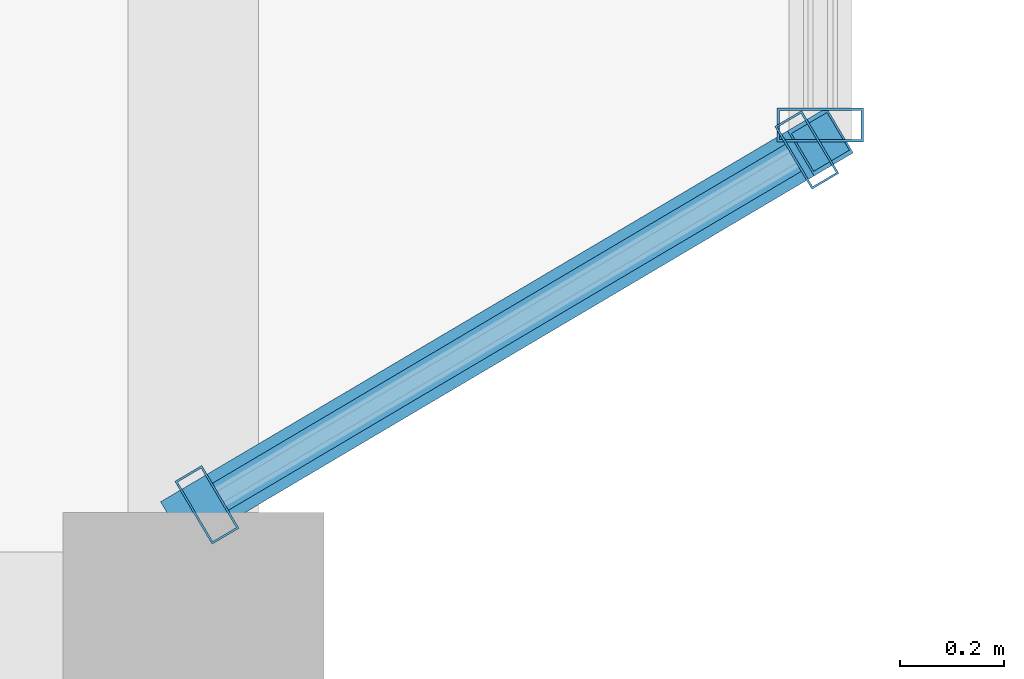
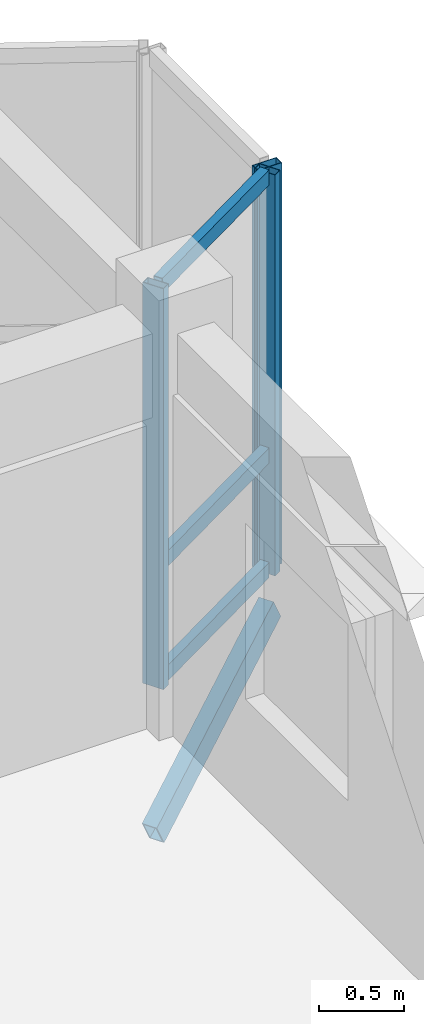
# One storey, part 9 of 64: 7 members, 2 elements without a shape of their own.
"""IFC4 building model written with IfcOpenShell, lengths in metres."""

from ifc_helpers import new_model, si_unit, direction, frame, origin, origin_2d, place, context, subcontext, project, spatial, hollow_rectangle, extrude, material, layer, layer_set, material_profile, profile_set, type_object, element, aggregate, save


model = new_model("IFC4")

# Units and contexts
model_context = context("Model", 3, precision=1e-05, world=origin(), true_north=direction((0.0, 1.0)))
body_context = subcontext(model_context, "Body", "Model", "MODEL_VIEW")
ifc_project = project(units=[si_unit("LENGTHUNIT", "METRE"), si_unit("AREAUNIT", "SQUARE_METRE"), si_unit("VOLUMEUNIT", "CUBIC_METRE"), si_unit("PLANEANGLEUNIT", "RADIAN"), si_unit("MASSUNIT", "GRAM", prefix="KILO"), si_unit("THERMODYNAMICTEMPERATUREUNIT", "KELVIN"), si_unit("POWERUNIT", "WATT")], contexts=[model_context])

# Site, building, storey
site_placement = place(None, origin())
site = spatial("IfcSite", under=ifc_project, at=site_placement, CompositionType="ELEMENT")
building_placement = place(site_placement, origin())
building = spatial("IfcBuilding", under=site, at=building_placement, Name="Tavuni Mirador Residences", CompositionType="ELEMENT")
storey_placement = place(building_placement, frame((0.0, 0.0, 26.550048828125)))
storey = spatial("IfcBuildingStorey", under=building, at=storey_placement, Name="L08", CompositionType="ELEMENT", Elevation=26.550048828125)

# Curtain wall, members
ifc_material_1 = material(Name="Anodised aluminium", Category="aluminium")
ifc_layer_1 = layer(ifc_material_1, 0.1650390625, Name="Anodised aluminium", Category="aluminium")
ifc_layer_set_1 = layer_set([ifc_layer_1], Name="Anodised aluminium")
curtain_wall_type_1 = type_object("IfcCurtainWallType", Name="CWT-MIR-A", PredefinedType="NOTDEFINED", material=ifc_layer_set_1)
curtain_wall_1_placement = place(storey_placement, origin())
curtain_wall_1 = element("IfcCurtainWall", 1, at=curtain_wall_1_placement, inside=storey, type_object=curtain_wall_type_1, Name="CW-MIR-A-E2-L08-M1", PredefinedType="NOTDEFINED")
ifc_material_profile_1 = material_profile(ifc_material_1, hollow_rectangle(XDim=0.06005859375, YDim=0.139892578125, WallThickness=0.00390625, at=origin_2d()), Name="ALU 60x140x4.0", Category="aluminium")
ifc_profile_set_1 = profile_set([ifc_material_profile_1], Name="Anodised aluminium")
member_type_1 = type_object("IfcMemberType", Name="CWM-140", PredefinedType="MULLION", material=ifc_profile_set_1)
member_1_placement = place(storey_placement, frame((32.42578125, 21.865234375, 0.0), z_axis=(0.0, 0.0, 1.0), x_axis=(0.860640830284, 0.509212491254, 0.0)))
member_1 = element("IfcMember", 2, at=member_1_placement, type_object=member_type_1, Name="CW-01 mullion 1", PredefinedType="MULLION", context=body_context, shape_type="SweptSolid", body=[
    extrude(hollow_rectangle(XDim=0.06005859375, YDim=0.139892578125, WallThickness=0.00390625, at=origin_2d()), origin(), (0.0, 0.0, 1.0), 2.869873046875),
])
member_2_placement = place(storey_placement, frame((33.57421875, 22.544677734375, 0.0), z_axis=(0.0, 0.0, 1.0), x_axis=(0.860640830284, 0.509212491254, 0.0)))
member_2 = element("IfcMember", 3, at=member_2_placement, type_object=member_type_1, Name="CW-01 mullion 2", PredefinedType="MULLION", context=body_context, shape_type="SweptSolid", body=[
    extrude(hollow_rectangle(XDim=0.06005859375, YDim=0.139892578125, WallThickness=0.00390625, at=origin_2d()), origin(), (0.0, 0.0, 1.0), 2.869873046875),
])

# Curtain wall, member
ifc_layer_2 = layer(ifc_material_1, 0.14990234375, Name="Anodised aluminium", Category="aluminium")
ifc_layer_set_2 = layer_set([ifc_layer_2], Name="Anodised aluminium")
curtain_wall_type_2 = type_object("IfcCurtainWallType", Name="CWT-MIR-B", PredefinedType="NOTDEFINED", material=ifc_layer_set_2)
curtain_wall_2_placement = place(storey_placement, origin())
curtain_wall_2 = element("IfcCurtainWall", 4, at=curtain_wall_2_placement, inside=storey, type_object=curtain_wall_type_2, Name="CW-MIR-A-E2-L08-MF", PredefinedType="NOTDEFINED")
ifc_material_profile_2 = material_profile(ifc_material_1, hollow_rectangle(XDim=0.06494140625, YDim=0.1650390625, WallThickness=0.00439453125, at=origin_2d()), Name="ALU 65x165x4.5", Category="aluminium")
ifc_profile_set_2 = profile_set([ifc_material_profile_2], Name="Anodised aluminium")
member_type_2 = type_object("IfcMemberType", Name="CWM-165", PredefinedType="MULLION", material=ifc_profile_set_2)
member_3_placement = place(storey_placement, frame((33.60009765625, 22.592529296875, 0.0), z_axis=(0.0, 0.0, 1.0), x_axis=(0.0, 1.0, 0.0)))
member_3 = element("IfcMember", 5, at=member_3_placement, type_object=member_type_2, Name="CW-02 mullion 1", PredefinedType="MULLION", context=body_context, shape_type="SweptSolid", body=[
    extrude(hollow_rectangle(XDim=0.06494140625, YDim=0.1650390625, WallThickness=0.00439453125, at=origin_2d()), origin(), (0.0, 0.0, 1.0), 2.869873046875),
])
aggregate(curtain_wall_2, [member_3])

# Member
ifc_material_profile_3 = material_profile(ifc_material_1, hollow_rectangle(XDim=0.06005859375, YDim=0.110107421875, WallThickness=0.00390625, at=origin_2d()), Name="ALU 60x110x4.0", Category="aluminium")
ifc_profile_set_3 = profile_set([ifc_material_profile_3], Name="Anodised aluminium")
member_type_3 = type_object("IfcMemberType", Name="CWT-110", PredefinedType="USERDEFINED", material=ifc_profile_set_3)
member_4_placement = place(storey_placement, frame((32.45166015625, 21.880615234375, 0.030029296875), z_axis=(0.860621238039, 0.509245603452, 0.0), x_axis=(-0.509245603452, 0.860621238039, 0.0)))
member_4 = element("IfcMember", 6, at=member_4_placement, type_object=member_type_3, Name="CW-01 transom 1.1", ObjectType="TRANSOM", PredefinedType="USERDEFINED", context=body_context, shape_type="SweptSolid", body=[
    extrude(hollow_rectangle(XDim=0.06005859375, YDim=0.110107421875, WallThickness=0.00390625, at=origin_2d()), origin(), (0.0, 0.0, 1.0), 1.274169921875),
])

member_5_placement = place(storey_placement, frame((32.45166015625, 21.880615234375, 0.849853515625), z_axis=(0.860621238039, 0.509245603452, 0.0), x_axis=(-0.509245603452, 0.860621238039, 0.0)))
member_5 = element("IfcMember", 7, at=member_5_placement, type_object=member_type_3, Name="CW-01 transom 1.2", ObjectType="TRANSOM", PredefinedType="USERDEFINED", context=body_context, shape_type="SweptSolid", body=[
    extrude(hollow_rectangle(XDim=0.06005859375, YDim=0.110107421875, WallThickness=0.00390625, at=origin_2d()), origin(), (0.0, 0.0, 1.0), 1.274169921875),
])

member_6_placement = place(storey_placement, frame((32.45166015625, 21.880615234375, 2.83984375), z_axis=(0.860621238039, 0.509245603452, 0.0), x_axis=(-0.509245603452, 0.860621238039, 0.0)))
member_6 = element("IfcMember", 8, at=member_6_placement, type_object=member_type_3, Name="CW-01 transom 1.3", ObjectType="TRANSOM", PredefinedType="USERDEFINED", context=body_context, shape_type="SweptSolid", body=[
    extrude(hollow_rectangle(XDim=0.06005859375, YDim=0.110107421875, WallThickness=0.00390625, at=origin_2d()), origin(), (0.0, 0.0, 1.0), 1.274169921875),
])

aggregate(curtain_wall_1, [member_1, member_2, member_4, member_5, member_6])

ifc_material_2 = material(Name="Structural steel S355", Category="steel")
ifc_material_profile_4 = material_profile(ifc_material_2, hollow_rectangle(XDim=0.10009765625, YDim=0.179931640625, WallThickness=0.008056640625, at=origin_2d()), Name="RHS 180x100x8.0", Category="steel")
ifc_profile_set_4 = profile_set([ifc_material_profile_4], Name="Structural steel S355")
member_type_4 = type_object("IfcMemberType", Name="MT-BR-RHS180", PredefinedType="BRACE", material=ifc_profile_set_4)
member_7_placement = place(storey_placement, frame((32.39990234375, 21.85009765625, -1.050048828125), z_axis=(0.753448798133, 0.445693471312, 0.48339656414), x_axis=(-0.50913035723, 0.860689420957, 0.0)))
element("IfcMember", 9, at=member_7_placement, inside=storey, type_object=member_type_4, Name="MBRK-MIR-A-E2-L08-1", PredefinedType="BRACE", context=body_context, shape_type="SweptSolid", body=[
    extrude(hollow_rectangle(XDim=0.10009765625, YDim=0.179931640625, WallThickness=0.008056640625, at=origin_2d()), origin(), (0.0, 0.0, 1.0), 1.593017578125),
])

save(model, "model.ifc")
